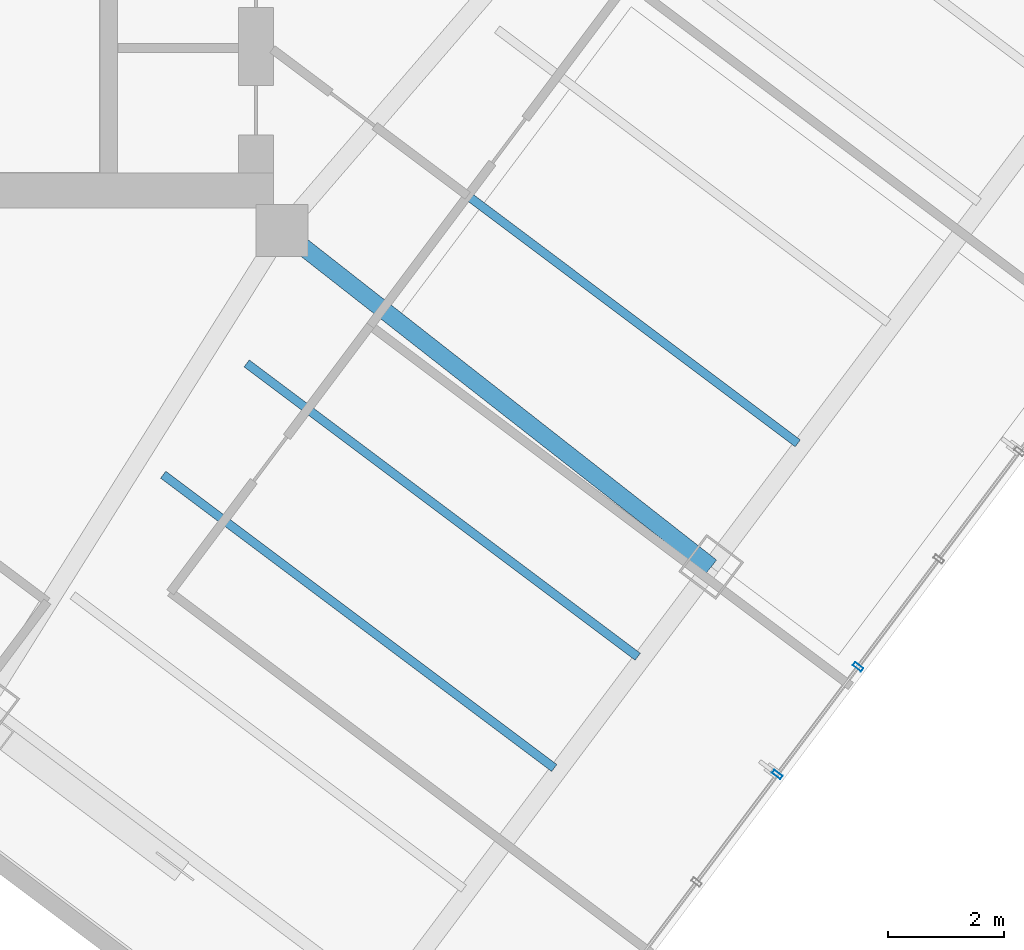
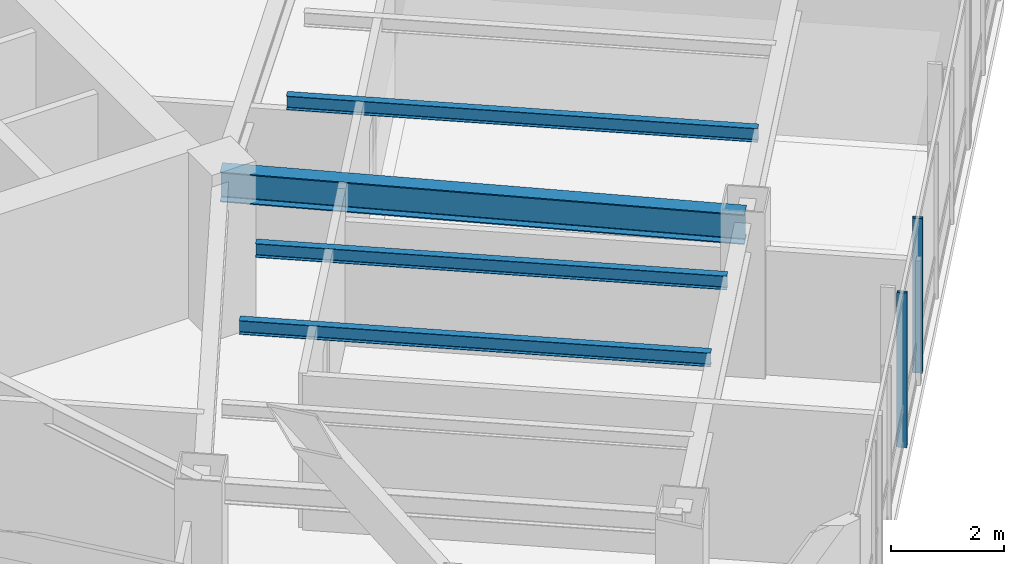
# One storey, part 11 of 28: 4 beams, 2 members, 1 element without a shape of its own.
"""IFC4 building model written with IfcOpenShell, lengths in metres."""

from ifc_helpers import new_model, si_unit, direction, frame, origin, origin_2d, place, context, subcontext, project, spatial, hollow_rectangle, i_section, extrude, material, layer, layer_set, material_profile, profile_set, type_object, element, aggregate, save


model = new_model("IFC4")

# Units and contexts
model_context = context("Model", 3, precision=1e-05, world=origin(), true_north=direction((0.0, 1.0)))
body_context = subcontext(model_context, "Body", "Model", "MODEL_VIEW")
ifc_project = project(units=[si_unit("LENGTHUNIT", "METRE"), si_unit("AREAUNIT", "SQUARE_METRE"), si_unit("VOLUMEUNIT", "CUBIC_METRE"), si_unit("PLANEANGLEUNIT", "RADIAN"), si_unit("MASSUNIT", "GRAM", prefix="KILO")], contexts=[model_context])

# Site, building, storey
site_placement = place(None, origin())
site = spatial("IfcSite", under=ifc_project, at=site_placement, CompositionType="ELEMENT")
building_placement = place(site_placement, origin())
building = spatial("IfcBuilding", under=site, at=building_placement, Name="Hatsunagi Terrace Concourse", CompositionType="ELEMENT")
storey_placement = place(building_placement, frame((0.0, 0.0, 160.050048828125)))
storey = spatial("IfcBuildingStorey", under=building, at=storey_placement, Name="L42", CompositionType="ELEMENT", Elevation=160.050048828125)

# Curtain wall, members
ifc_material_1 = material(Name="Anodised Aluminium Alloy 6063-T5", Category="aluminium")
ifc_layer = layer(ifc_material_1, 0.199951171875)
ifc_layer_set = layer_set([ifc_layer], Name="OfficeZone1_CW03")
curtain_wall_type = type_object("IfcCurtainWallType", Name="OfficeZone1_CW03", PredefinedType="NOTDEFINED", material=ifc_layer_set)
curtain_wall_placement = place(storey_placement, origin())
curtain_wall = element("IfcCurtainWall", 1, at=curtain_wall_placement, inside=storey, type_object=curtain_wall_type, Name="Unitised Curtain Wall CW-03 CW-L42-03", PredefinedType="NOTDEFINED")
ifc_material_2 = material(Name="Anodised Aluminium Alloy 6063-T5", Category="aluminium")
ifc_material_profile_1 = material_profile(ifc_material_2, hollow_rectangle(XDim=0.070068359375, YDim=0.179931640625, WallThickness=0.00390625, at=origin_2d()), Name="ALU-MUL-180x70x4")
ifc_profile_set_1 = profile_set([ifc_material_profile_1], Name="Anodised Aluminium Alloy 6063-T5")
member_type = type_object("IfcMemberType", Name="CurtainWallMullion_180x70", PredefinedType="MULLION", material=ifc_profile_set_1)
member_1_placement = place(storey_placement, frame((53.73193359375, 16.676025390625, 0.0), z_axis=(0.0, 0.0, 1.0), x_axis=(-0.599969314634, -0.800023013105, 0.0)))
member_1 = element("IfcMember", 2, at=member_1_placement, type_object=member_type, Name="Curtain Wall Mullion MUL-02", PredefinedType="MULLION", context=body_context, shape_type="SweptSolid", body=[
    extrude(hollow_rectangle(XDim=0.070068359375, YDim=0.179931640625, WallThickness=0.00390625, at=origin_2d()), origin(), (0.0, 0.0, 1.0), 3.349853515625),
])
member_2_placement = place(storey_placement, frame((52.340087890625, 14.819091796875, 0.0), z_axis=(0.0, 0.0, 1.0), x_axis=(-0.599969314634, -0.800023013105, 0.0)))
member_2 = element("IfcMember", 3, at=member_2_placement, type_object=member_type, Name="Curtain Wall Mullion MUL-02", PredefinedType="MULLION", context=body_context, shape_type="SweptSolid", body=[
    extrude(hollow_rectangle(XDim=0.070068359375, YDim=0.179931640625, WallThickness=0.00390625, at=origin_2d()), origin(), (0.0, 0.0, 1.0), 3.349853515625),
])
aggregate(curtain_wall, [member_1, member_2])

# Beams
ifc_material_3 = material(Name="Steel SN490B", Category="steel")
ifc_material_profile_2 = material_profile(ifc_material_3, i_section(OverallWidth=0.14990234375, OverallDepth=0.300048828125, WebThickness=0.006591796875, FlangeThickness=0.009033203125, FilletRadius=0.010986328125, at=origin_2d()), Name="H-300x150x6.5x9")
ifc_profile_set_2 = profile_set([ifc_material_profile_2], Name="Steel SN490B")
beam_type_1 = type_object("IfcBeamType", Name="OfficeJoist_H_300x150", PredefinedType="JOIST", material=ifc_profile_set_2)
for number, where, z_axis, x_axis, name in (
    (4, (41.748046875, 19.989013671875, 3.199951171875), (0.799989573921, -0.600013901187, 0.0), (0.600013901187, 0.799989573921, 0.0), "Beam J-03 J-L42-SE-2-72"),
    (5, (43.18798828125, 21.908935546875, 3.199951171875), (0.800003475366, -0.59999536615, 0.0), (0.59999536615, 0.800003475366, 0.0), "Beam J-03 J-L42-SE-2-96"),
    (6, (45.947998046875, 25.589111328125, 3.199951171875), (0.799989573921, -0.600013901187, 0.0), (0.600013901187, 0.799989573921, 0.0), "Beam J-03 J-L42-SE-2-142"),
):
    element("IfcBeam", number, at=place(storey_placement, frame(where, z_axis=z_axis, x_axis=x_axis)), inside=storey, type_object=beam_type_1, Name=name, PredefinedType="JOIST", context=body_context, shape_type="SweptSolid", body=[
        extrude(i_section(OverallWidth=0.14990234375, OverallDepth=0.300048828125, WebThickness=0.006591796875, FlangeThickness=0.009033203125, FilletRadius=0.010986328125, at=origin_2d()), origin(), (0.0, 0.0, 1.0), 8.429931640625),
    ])
ifc_material_4 = material(Name="Steel SN490B", Category="steel")
ifc_material_profile_3 = material_profile(ifc_material_4, i_section(OverallWidth=0.300048828125, OverallDepth=0.64990234375, WebThickness=0.012939453125, FlangeThickness=0.02197265625, FilletRadius=0.01806640625, at=origin_2d()), Name="H-650x300x13x22")
ifc_profile_set_3 = profile_set([ifc_material_profile_3], Name="Steel SN490B")
beam_type_2 = type_object("IfcBeamType", Name="OfficeLowGirder_H_650x300", PredefinedType="BEAM", material=ifc_profile_set_3)
beam_placement = place(storey_placement, frame((43.800048828125, 24.199951171875, 3.02490234375), z_axis=(0.787049441068, -0.616889923175, 0.0), x_axis=(0.616889923175, 0.787049441068, 0.0)))
element("IfcBeam", 7, at=beam_placement, inside=storey, type_object=beam_type_2, Name="Beam G-05 BM-L42-SE-M2", PredefinedType="BEAM", context=body_context, shape_type="SweptSolid", body=[
    extrude(i_section(OverallWidth=0.300048828125, OverallDepth=0.64990234375, WebThickness=0.012939453125, FlangeThickness=0.02197265625, FilletRadius=0.01806640625, at=origin_2d()), origin(), (0.0, 0.0, 1.0), 9.402099609375),
])

save(model, "model.ifc")
